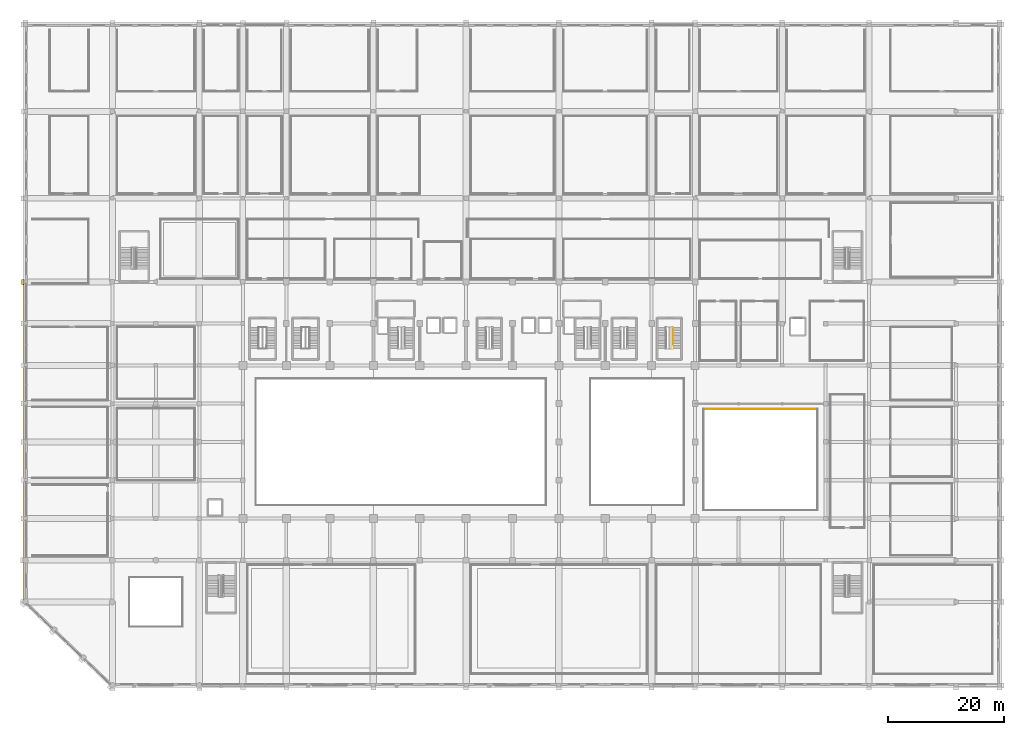
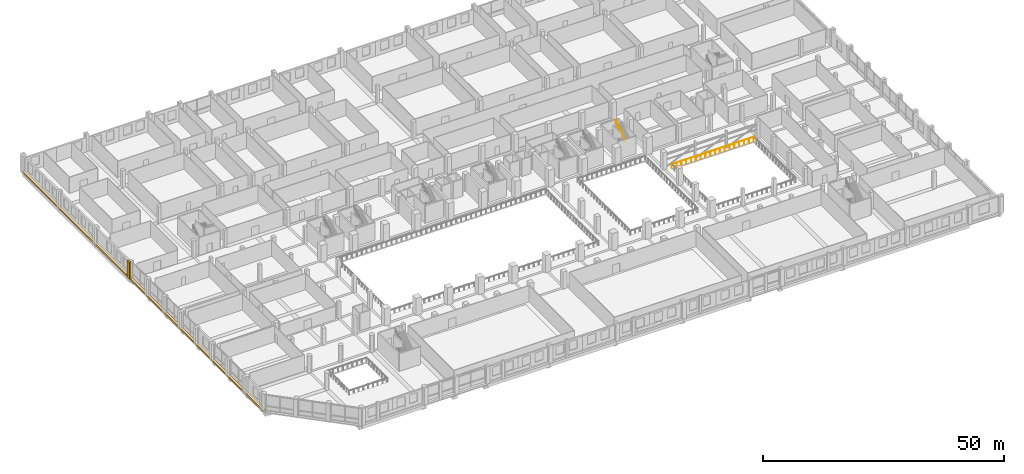
# One storey, part 59 of 64: 2 coverings, 2 railings.
"""IFC4 building model written with IfcOpenShell, lengths in metres."""

import ifcopenshell
import ifcopenshell.guid

model = None  # the IFC model being written
_history = None  # IfcOwnerHistory: only IFC2X3 demands one
_inside = {}  # id of a spatial element -> (the spatial element, [elements in it])
_under = {}  # id of a project, library or spatial element -> (it, [spatial elements below it])
_declared = {}  # id of a project -> (the project, [libraries it declares])
_typed = {}  # id of a type object -> (the type object, [elements of that type])
_made_of = {}  # id of a material, layer set ... -> (it, [elements and type objects made of it])


def new_model(schema):
    """Start an empty IFC model of exactly this schema.

    Asked for "IFC4X3", IfcOpenShell would pick the latest addendum, in which some entities
    have other attributes; the version numbers below select the first issue.
    IFC2X3 requires an IfcOwnerHistory on every rooted entity: one is made here for all.
    """
    global model, _history
    if schema == "IFC4X3":
        model = ifcopenshell.file(schema_version=(4, 3, 0, 0))
    else:
        model = ifcopenshell.file(schema=schema)
    _inside.clear()
    _under.clear()
    _declared.clear()
    _typed.clear()
    _made_of.clear()
    _history = None
    if model.schema == "IFC2X3":
        org = make("IfcOrganization", Name="unknown")
        user = make(
            "IfcPersonAndOrganization",
            ThePerson=make("IfcPerson", FamilyName="unknown"),
            TheOrganization=org,
        )
        app = make(
            "IfcApplication",
            ApplicationDeveloper=org,
            Version="unknown",
            ApplicationFullName="unknown",
            ApplicationIdentifier="unknown",
        )
        _history = make(
            "IfcOwnerHistory",
            OwningUser=user,
            OwningApplication=app,
            ChangeAction="ADDED",
            CreationDate=0,
        )
    return model


def make(cls, **values):
    """One entity of the class cls with the attributes given. An attribute that is None is left unset."""
    return model.create_entity(
        cls, **{name: value for name, value in values.items() if value is not None}
    )


def rooted(cls, **values):
    """An entity with a GlobalId (a new one), such as an element, a storey or a relation."""
    return make(cls, GlobalId=ifcopenshell.guid.new(), OwnerHistory=_history, **values)


def si_unit(unit_type, name, prefix=None):
    """IfcSIUnit, for example si_unit("LENGTHUNIT", "METRE", prefix="MILLI")."""
    return make("IfcSIUnit", UnitType=unit_type, Prefix=prefix, Name=name)


def assignment(units):
    """IfcUnitAssignment: the units of a project."""
    return None if units is None else make("IfcUnitAssignment", Units=units)


def point(xyz):
    """IfcCartesianPoint."""
    return None if xyz is None else make("IfcCartesianPoint", Coordinates=xyz)


def direction(xyz):
    """IfcDirection."""
    return None if xyz is None else make("IfcDirection", DirectionRatios=xyz)


def frame(location, z_axis=None, x_axis=None):
    """IfcAxis2Placement3D, a coordinate frame: its origin and axes. An axis left out is left unset."""
    return make(
        "IfcAxis2Placement3D",
        Location=point(location),
        Axis=direction(z_axis),
        RefDirection=direction(x_axis),
    )


def frame_2d(location, x_axis=None):
    """IfcAxis2Placement2D, a coordinate frame in the plane: its origin and x axis."""
    return make(
        "IfcAxis2Placement2D", Location=point(location), RefDirection=direction(x_axis)
    )


def origin():
    """The frame at (0, 0, 0) with its axes left unset."""
    return frame((0.0, 0.0, 0.0))


def origin_2d():
    """The frame at (0, 0) in the plane with its x axis left unset."""
    return frame_2d((0.0, 0.0))


def place(relative_to, where):
    """IfcLocalPlacement: puts the frame where relative to a parent placement (None: the world)."""
    return make(
        "IfcLocalPlacement", PlacementRelTo=relative_to, RelativePlacement=where
    )


def context(
    kind, dimensions, precision=None, world=None, true_north=None, identifier=None
):
    """IfcGeometricRepresentationContext, for example the 3D "Model" context."""
    return make(
        "IfcGeometricRepresentationContext",
        ContextIdentifier=identifier,
        ContextType=kind,
        CoordinateSpaceDimension=dimensions,
        Precision=precision,
        WorldCoordinateSystem=world,
        TrueNorth=true_north,
    )


def subcontext(parent, identifier, kind, view, scale=None):
    """IfcGeometricRepresentationSubContext, for example "Body" below "Model"."""
    return make(
        "IfcGeometricRepresentationSubContext",
        ContextIdentifier=identifier,
        ContextType=kind,
        ParentContext=parent,
        TargetScale=scale,
        TargetView=view,
    )


def project(units=None, contexts=None):
    """IfcProject with its units and contexts."""
    return rooted(
        "IfcProject",
        Name="project",
        RepresentationContexts=contexts,
        UnitsInContext=assignment(units),
    )


def spatial(cls, under=None, at=None, **own):
    """A site, building, storey or space (cls), placed at a placement, below another one or the project."""
    s = rooted(cls, ObjectPlacement=at, **own)
    if under is not None:
        _under.setdefault(under.id(), (under, []))[1].append(s)
    return s


def profile(cls, at=None, kind="AREA", **sizes):
    """A parametric profile (cls). Its sizes go by their IFC names, for example OverallWidth=200.0."""
    return make(cls, ProfileType=kind, Position=at, **sizes)


def rectangle(**sizes):
    """IfcRectangleProfileDef."""
    return profile("IfcRectangleProfileDef", **sizes)


def circle(**sizes):
    """IfcCircleProfileDef."""
    return profile("IfcCircleProfileDef", **sizes)


def extrude(swept, where, along, depth):
    """IfcExtrudedAreaSolid: the profile swept, set in the frame where, extruded along a direction by depth."""
    return make(
        "IfcExtrudedAreaSolid",
        SweptArea=swept,
        Position=where,
        ExtrudedDirection=direction(along),
        Depth=depth,
    )


def shape(context_of_items, identifier, shape_type, items):
    """IfcShapeRepresentation: the items that make up one representation, for example the "Body"."""
    return make(
        "IfcShapeRepresentation",
        ContextOfItems=context_of_items,
        RepresentationIdentifier=identifier,
        RepresentationType=shape_type,
        Items=items,
    )


def material(Name=None, Category=None):
    """IfcMaterial."""
    return make("IfcMaterial", Name=Name, Category=Category)


def layer(
    of_material, thickness, ventilated=None, Name=None, Category=None, Priority=None
):
    """IfcMaterialLayer: one layer of a wall or slab, of a material (None: an air gap)."""
    return make(
        "IfcMaterialLayer",
        Material=of_material,
        LayerThickness=thickness,
        IsVentilated=ventilated,
        Name=Name,
        Category=Category,
        Priority=Priority,
    )


def layer_set(layers, Name=None):
    """IfcMaterialLayerSet."""
    return make("IfcMaterialLayerSet", MaterialLayers=layers, LayerSetName=Name)


def made_of(thing, what):
    """Note that an element or type object is made of a material, layer set ...; save() writes the relation."""
    if what is not None:
        _made_of.setdefault(what.id(), (what, []))[1].append(thing)
    return thing


def type_object(cls, material=None, **own):
    """A type object (cls), such as IfcWallType, which elements share."""
    return made_of(rooted(cls, **own), material)


def element(
    cls,
    number,
    at=None,
    inside=None,
    cuts=None,
    type_object=None,
    material=None,
    context=None,
    identifier="Body",
    shape_type=None,
    held_by="IfcProductDefinitionShape",
    body=None,
    shapes=None,
    **own,
):
    """One element of the class cls, such as IfcWall. Its Tag is "e" and its number.

    at: its placement. inside: the storey or other place that contains it. cuts: it is an
    opening in that element (IfcRelVoidsElement). A single representation is given by context,
    identifier, shape_type and body (its items); several are given by shapes. held_by: the class
    of the entity that holds the representations. save() writes the other relations.
    """
    e = rooted(cls, Tag="e%d" % number, ObjectPlacement=at, **own)
    if body is not None:
        shapes = [shape(context, identifier, shape_type, body)]
    if shapes is not None:
        e.Representation = make(held_by, Representations=shapes)
    if inside is not None:
        _inside.setdefault(inside.id(), (inside, []))[1].append(e)
    if cuts is not None:
        rooted(
            "IfcRelVoidsElement", RelatingBuildingElement=cuts, RelatedOpeningElement=e
        )
    if type_object is not None:
        _typed.setdefault(type_object.id(), (type_object, []))[1].append(e)
    return made_of(e, material)


def aggregate(whole, parts):
    """IfcRelAggregates: a whole, such as a stair, and the parts it consists of."""
    return rooted("IfcRelAggregates", RelatingObject=whole, RelatedObjects=parts)


def save(model, path):
    """Write the relations noted so far, then the file.

    IfcRelAggregates (storeys below a building ...), IfcRelContainedInSpatialStructure (elements
    in a storey), IfcRelDefinesByType, IfcRelAssociatesMaterial and IfcRelDeclares: one each for
    every whole, place, type object, material and project.
    """
    for whole, parts in _under.values():
        aggregate(whole, parts)
    for where, things in _inside.values():
        rooted(
            "IfcRelContainedInSpatialStructure",
            RelatedElements=things,
            RelatingStructure=where,
        )
    for kind, things in _typed.values():
        rooted("IfcRelDefinesByType", RelatedObjects=things, RelatingType=kind)
    for what, things in _made_of.values():
        rooted("IfcRelAssociatesMaterial", RelatedObjects=things, RelatingMaterial=what)
    for by, libraries in _declared.values():
        rooted("IfcRelDeclares", RelatingContext=by, RelatedDefinitions=libraries)
    model.write(path)


model = new_model("IFC4")

# Units and contexts
model_context = context("Model", 3, precision=1e-05, world=origin(), true_north=direction((0.0, 1.0)))
body_context = subcontext(model_context, "Body", "Model", "MODEL_VIEW")
ifc_project = project(units=[si_unit("LENGTHUNIT", "METRE"), si_unit("AREAUNIT", "SQUARE_METRE"), si_unit("VOLUMEUNIT", "CUBIC_METRE"), si_unit("PLANEANGLEUNIT", "RADIAN"), si_unit("MASSUNIT", "GRAM", prefix="KILO")], contexts=[model_context])

# Site, building, storey
site_placement = place(None, origin())
site = spatial("IfcSite", under=ifc_project, at=site_placement, CompositionType="ELEMENT")
building_placement = place(site_placement, origin())
building = spatial("IfcBuilding", under=site, at=building_placement, Name="Akrevak Sports Hall", CompositionType="ELEMENT")
storey_placement = place(building_placement, frame((0.0, 0.0, 4.60009765625)))
storey = spatial("IfcBuildingStorey", under=building, at=storey_placement, Name="L01", CompositionType="ELEMENT", Elevation=4.60009765625)

# Coverings
ifc_material_1 = material(Name="Limestone Ashlar", Category="stone")
ifc_layer_1 = layer(ifc_material_1, 0.6201171875, Name="Limestone Ashlar")
ifc_layer_set_1 = layer_set([ifc_layer_1], Name="Limestone Ashlar")
covering_type_1 = type_object("IfcCoveringType", Name="ARC-COV-CRN-LIM", PredefinedType="MOLDING", material=ifc_layer_set_1)
covering_1_placement = place(storey_placement, frame((-0.110107421875, 64.199951171875, -0.330078125), z_axis=(0.0, 0.0, 1.0), x_axis=(0.0, -1.0, 0.0)))
element("IfcCovering", 1, at=covering_1_placement, inside=storey, type_object=covering_type_1, Name="Street Arcade Limestone Entablature L01-ARC-04", PredefinedType="MOLDING", context=body_context, shape_type="SweptSolid", body=[
    extrude(rectangle(XDim=100.132080078125, YDim=0.5400390625, at=origin_2d()), origin(), (0.0, 0.0, 1.0), 0.419921875),
])
ifc_layer_2 = layer(ifc_material_1, 0.47998046875, Name="Limestone Ashlar")
ifc_layer_set_2 = layer_set([ifc_layer_2], Name="Limestone Ashlar")
covering_type_2 = type_object("IfcCoveringType", Name="ARC-COV-PIL-LIM", PredefinedType="CLADDING", material=ifc_layer_set_2)
covering_2_placement = place(storey_placement, frame((-0.47509765625, 69.60009765625, -0.000244140625), z_axis=(0.0, 0.0, 1.0), x_axis=(0.0, -1.0, 0.0)))
element("IfcCovering", 2, at=covering_2_placement, inside=storey, type_object=covering_type_2, Name="Giant-Order Limestone Pilaster L01-04-47", PredefinedType="CLADDING", context=body_context, shape_type="SweptSolid", body=[
    extrude(rectangle(XDim=0.8798828125, YDim=0.4599609375, at=origin_2d()), origin(), (0.0, 0.0, 1.0), 4.35009765625),
])

# Railings
ifc_material_2 = material(Name="Anodized Bronze Aluminium & Laminated Glass", Category="aluminium")
ifc_layer_3 = layer(ifc_material_2, 0.080078125, Name="Anodized Bronze Aluminium & Laminated Glass")
ifc_layer_set_3 = layer_set([ifc_layer_3], Name="Anodized Bronze Aluminium & Laminated Glass")
railing_type_1 = type_object("IfcRailingType", Name="ARC-RL-GRD-1150", PredefinedType="GUARDRAIL", material=ifc_layer_set_3)
railing_1_placement = place(storey_placement, frame((136.580078125, 47.679931640625, 0.0)))
element("IfcRailing", 3, at=railing_1_placement, inside=storey, type_object=railing_type_1, Name="Atrium/Arena Gallery Guardrail L01-CLM-N", PredefinedType="GUARDRAIL", context=body_context, shape_type="SweptSolid", body=[
    extrude(circle(Radius=0.02392578125, at=origin_2d()), frame((0.0, 0.0, 1.1259765625), z_axis=(-1.0, 0.0, 0.0), x_axis=(0.0, -1.0, 0.0)), (0.0, 0.0, 1.0), 19.66015625),
    extrude(circle(Radius=0.02099609375, at=origin_2d()), origin(), (0.0, 0.0, 1.0), 1.101806640625),
    extrude(circle(Radius=0.02099609375, at=origin_2d()), frame((-1.156494140625, 0.0, 0.0)), (0.0, 0.0, 1.0), 1.101806640625),
    extrude(circle(Radius=0.02099609375, at=origin_2d()), frame((-2.31298828125, 0.0, 0.0)), (0.0, 0.0, 1.0), 1.101806640625),
    extrude(circle(Radius=0.02099609375, at=origin_2d()), frame((-3.469482421875, 0.0, 0.0)), (0.0, 0.0, 1.0), 1.101806640625),
    extrude(circle(Radius=0.02099609375, at=origin_2d()), frame((-4.6259765625, 0.0, 0.0)), (0.0, 0.0, 1.0), 1.101806640625),
    extrude(circle(Radius=0.02099609375, at=origin_2d()), frame((-5.782470703125, 0.0, 0.0)), (0.0, 0.0, 1.0), 1.101806640625),
    extrude(circle(Radius=0.02099609375, at=origin_2d()), frame((-6.93896484375, 0.0, 0.0)), (0.0, 0.0, 1.0), 1.101806640625),
    extrude(circle(Radius=0.02099609375, at=origin_2d()), frame((-8.095458984375, 0.0, 0.0)), (0.0, 0.0, 1.0), 1.101806640625),
    extrude(circle(Radius=0.02099609375, at=origin_2d()), frame((-9.251953125, 0.0, 0.0)), (0.0, 0.0, 1.0), 1.101806640625),
    extrude(circle(Radius=0.02099609375, at=origin_2d()), frame((-10.408203125, 0.0, 0.0)), (0.0, 0.0, 1.0), 1.101806640625),
    extrude(circle(Radius=0.02099609375, at=origin_2d()), frame((-11.564697265625, 0.0, 0.0)), (0.0, 0.0, 1.0), 1.101806640625),
    extrude(circle(Radius=0.02099609375, at=origin_2d()), frame((-12.72119140625, 0.0, 0.0)), (0.0, 0.0, 1.0), 1.101806640625),
    extrude(circle(Radius=0.02099609375, at=origin_2d()), frame((-13.877685546875, 0.0, 0.0)), (0.0, 0.0, 1.0), 1.101806640625),
    extrude(circle(Radius=0.02099609375, at=origin_2d()), frame((-15.0341796875, 0.0, 0.0)), (0.0, 0.0, 1.0), 1.101806640625),
    extrude(circle(Radius=0.02099609375, at=origin_2d()), frame((-16.190673828125, 0.0, 0.0)), (0.0, 0.0, 1.0), 1.101806640625),
    extrude(circle(Radius=0.02099609375, at=origin_2d()), frame((-17.34716796875, 0.0, 0.0)), (0.0, 0.0, 1.0), 1.101806640625),
    extrude(circle(Radius=0.02099609375, at=origin_2d()), frame((-18.503662109375, 0.0, 0.0)), (0.0, 0.0, 1.0), 1.101806640625),
    extrude(circle(Radius=0.02099609375, at=origin_2d()), frame((-19.66015625, 0.0, 0.0)), (0.0, 0.0, 1.0), 1.101806640625),
])
ifc_material_3 = material(Name="Brushed Stainless Steel 304", Category="steel")
ifc_layer_4 = layer(ifc_material_3, 0.050048828125, Name="Brushed Stainless Steel 304")
ifc_layer_set_4 = layer_set([ifc_layer_4], Name="Brushed Stainless Steel 304")
railing_type_2 = type_object("IfcRailingType", Name="ARC-RL-HND-900", PredefinedType="HANDRAIL", material=ifc_layer_set_4)
railing_2_placement = place(storey_placement, frame((111.6201171875, 58.094970703125, 2.39990234375)))
element("IfcRailing", 4, at=railing_2_placement, inside=storey, type_object=railing_type_2, Name="Stair Handrail ST11-L01-F2", PredefinedType="HANDRAIL", context=body_context, shape_type="SweptSolid", body=[
    extrude(circle(Radius=0.02392578125, at=origin_2d()), frame((0.0, 0.0, 0.8759765625), z_axis=(0.0, 0.83488217925, 0.55042869363), x_axis=(-1.0, 0.0, 0.0)), (0.0, 0.0, 1.0), 4.360107421875),
    extrude(circle(Radius=0.02099609375, at=origin_2d()), origin(), (0.0, 0.0, 1.0), 0.851806640625),
    extrude(circle(Radius=0.02099609375, at=origin_2d()), frame((0.0, 0.91015625, 0.60009765625)), (0.0, 0.0, 1.0), 0.851806640625),
    extrude(circle(Radius=0.02099609375, at=origin_2d()), frame((0.0, 1.820068359375, 1.199951171875)), (0.0, 0.0, 1.0), 0.851806640625),
    extrude(circle(Radius=0.02099609375, at=origin_2d()), frame((0.0, 2.72998046875, 1.7998046875)), (0.0, 0.0, 1.0), 0.851806640625),
    extrude(circle(Radius=0.02099609375, at=origin_2d()), frame((0.0, 3.64013671875, 2.39990234375)), (0.0, 0.0, 1.0), 0.851806640625),
])

save(model, "model.ifc")
